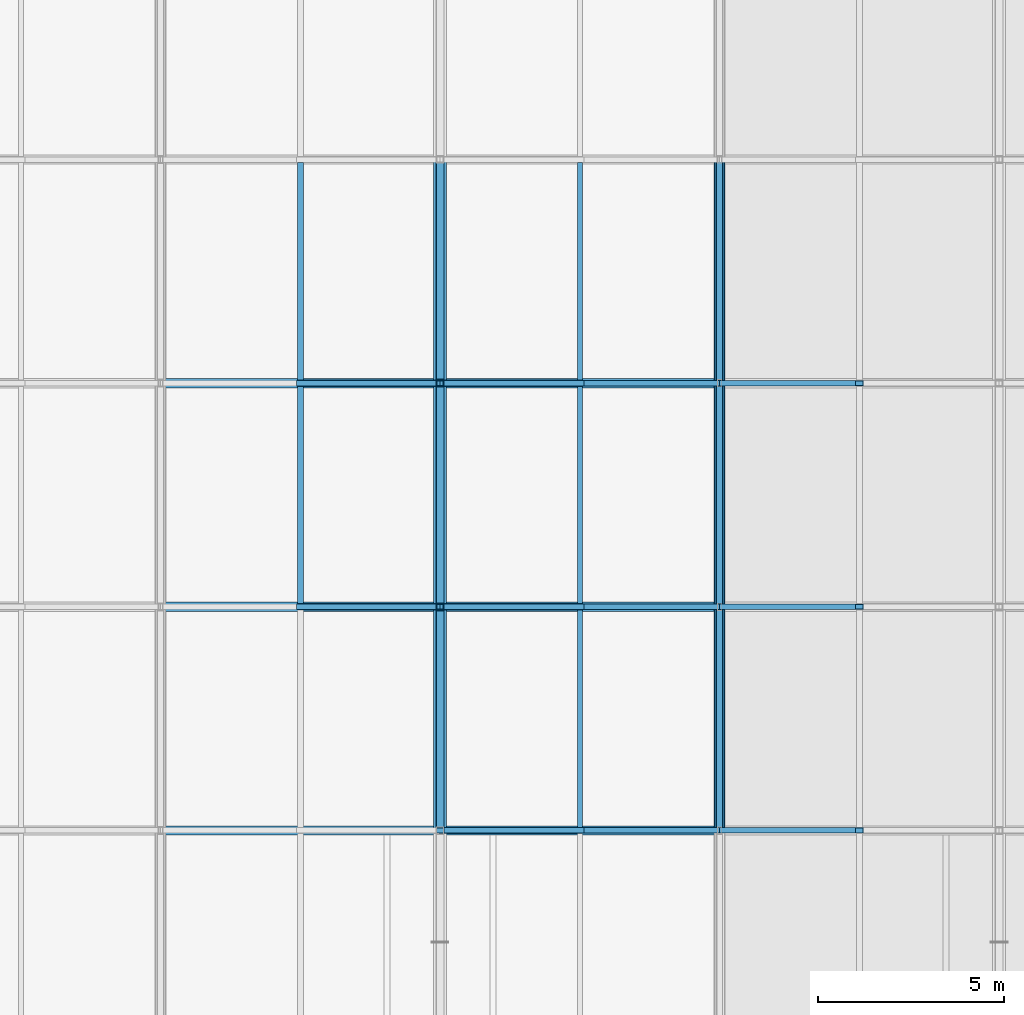
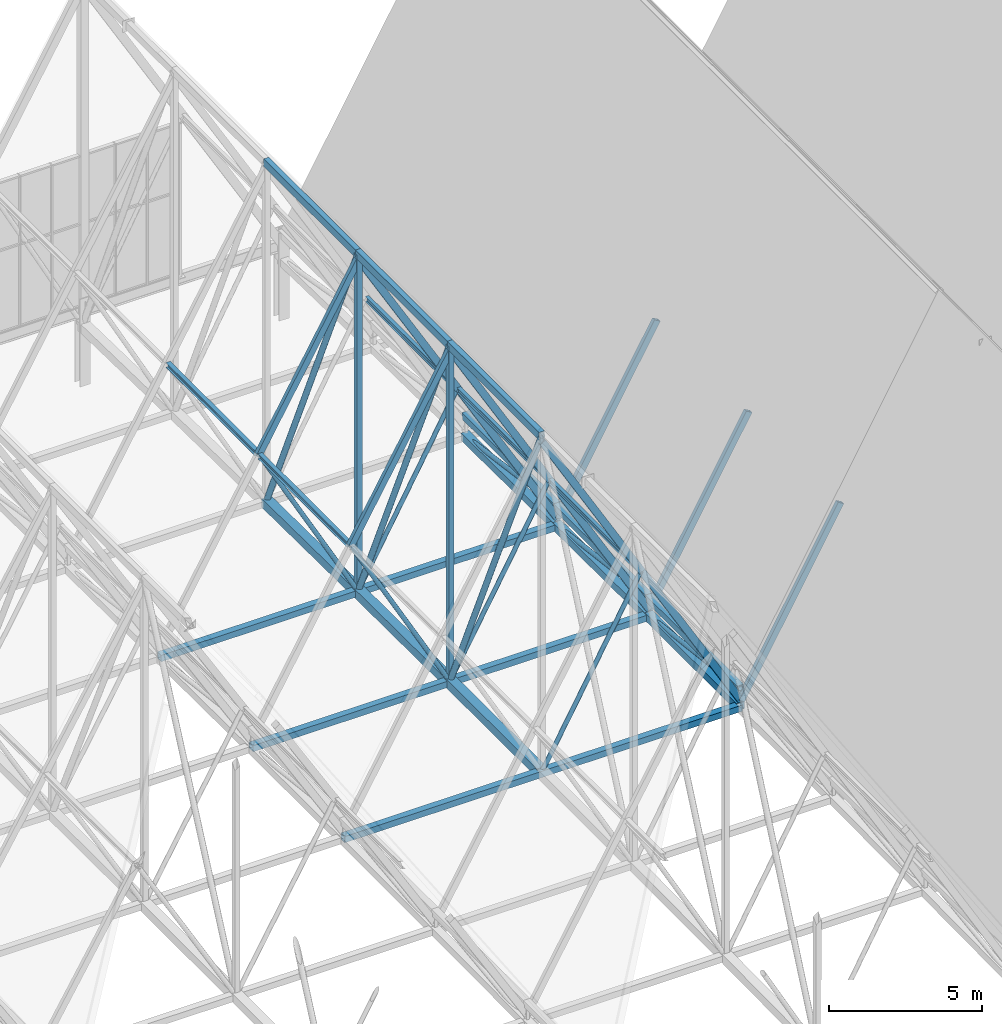
# One storey, part 113 of 324: 39 members, 5 beams.
"""IFC4 building model written with IfcOpenShell, lengths in metres."""

from ifc_helpers import new_model, si_unit, direction, frame, origin, origin_2d, place, context, subcontext, project, spatial, hollow_rectangle, hollow_circle, i_section, extrude, material, material_profile, profile_set, type_object, element, save


model = new_model("IFC4")

# Units and contexts
model_context = context("Model", 3, precision=1e-05, world=origin(), true_north=direction((0.0, 1.0)))
body_context = subcontext(model_context, "Body", "Model", "MODEL_VIEW")
ifc_project = project(units=[si_unit("LENGTHUNIT", "METRE"), si_unit("AREAUNIT", "SQUARE_METRE"), si_unit("VOLUMEUNIT", "CUBIC_METRE"), si_unit("PLANEANGLEUNIT", "RADIAN"), si_unit("MASSUNIT", "GRAM", prefix="KILO")], contexts=[model_context])

# Site, building, storey
site_placement = place(None, origin())
site = spatial("IfcSite", under=ifc_project, at=site_placement, CompositionType="ELEMENT")
building_placement = place(site_placement, origin())
building = spatial("IfcBuilding", under=site, at=building_placement, Name="Solvenia Promenade Tram Depot", CompositionType="ELEMENT")
storey_placement = place(building_placement, frame((0.0, 0.0, 4.5)))
storey = spatial("IfcBuildingStorey", under=building, at=storey_placement, Name="L01", CompositionType="ELEMENT", Elevation=4.5)

# Members
ifc_material_1 = material(Name="Structural steel ASTM A500 Gr. C", Category="steel")
ifc_material_profile_1 = material_profile(ifc_material_1, hollow_circle(Radius=0.109619140625, WallThickness=0.008056640625, at=origin_2d()), Name="CHS219.1x8", Category="steel")
ifc_profile_set_1 = profile_set([ifc_material_profile_1], Name="Structural steel ASTM A500 Gr. C")
member_type_1 = type_object("IfcMemberType", Name="Brace-CHS219x8", PredefinedType="BRACE", material=ifc_profile_set_1)
member_1_placement = place(storey_placement, frame((52.5, 102.0, 2.656005859375), z_axis=(0.0, -0.40785617385, 0.913046188017), x_axis=(1.0, 0.0, 0.0)))
element("IfcMember", 1, at=member_1_placement, inside=storey, type_object=member_type_1, Name="Arched Truss T08 Web Diagonal S06", PredefinedType="BRACE", context=body_context, shape_type="SweptSolid", body=[
    extrude(hollow_circle(Radius=0.109619140625, WallThickness=0.008056640625, at=origin_2d()), origin(), (0.0, 0.0, 1.0), 14.711181640625),
])
member_2_placement = place(storey_placement, frame((52.5, 108.0, 2.614013671875), z_axis=(0.0, -0.406795685275, 0.913519168076), x_axis=(1.0, 0.0, 0.0)))
element("IfcMember", 2, at=member_2_placement, inside=storey, type_object=member_type_1, Name="Arched Truss T08 Web Diagonal S07", PredefinedType="BRACE", context=body_context, shape_type="SweptSolid", body=[
    extrude(hollow_circle(Radius=0.109619140625, WallThickness=0.008056640625, at=origin_2d()), origin(), (0.0, 0.0, 1.0), 14.74951171875),
])
member_3_placement = place(storey_placement, frame((52.5, 114.0, 2.5439453125), z_axis=(0.0, -0.40503717219, 0.914300218279), x_axis=(1.0, 0.0, 0.0)))
element("IfcMember", 3, at=member_3_placement, inside=storey, type_object=member_type_1, Name="Arched Truss T08 Web Diagonal S08", PredefinedType="BRACE", context=body_context, shape_type="SweptSolid", body=[
    extrude(hollow_circle(Radius=0.109619140625, WallThickness=0.008056640625, at=origin_2d()), origin(), (0.0, 0.0, 1.0), 14.8134765625),
])
ifc_material_profile_2 = material_profile(ifc_material_1, hollow_rectangle(XDim=0.14990234375, YDim=0.25, WallThickness=0.010009765625, at=origin_2d()), Name="HSS250x150x10", Category="steel")
ifc_profile_set_2 = profile_set([ifc_material_profile_2], Name="Structural steel ASTM A500 Gr. C")
member_type_2 = type_object("IfcMemberType", Name="Chord-HSS250x150x10", PredefinedType="CHORD", material=ifc_profile_set_2)
for number, where, z_axis, x_axis, name in (
    (4, (52.5, 96.0, 15.859130859375), (0.501516268578, 0.0, -0.865148214095), (0.0, 1.0, 0.0), "Zigzag Gable 04 East Upper Rafter"),
    (5, (56.25, 96.0, 9.39013671875), (0.501516268578, 0.0, -0.865148214095), (0.0, 1.0, 0.0), "Zigzag Gable 04 East Lower Rafter"),
    (6, (48.75, 102.0, 9.39013671875), (0.501516268578, 0.0, 0.865148214095), (0.0, 1.0, 0.0), "Zigzag Gable 04 West Upper Rafter"),
    (7, (52.5, 102.0, 15.859130859375), (0.501516268578, 0.0, -0.865148214095), (0.0, 1.0, 0.0), "Zigzag Gable 04 East Upper Rafter"),
    (8, (56.25, 102.0, 9.39013671875), (0.501516268578, 0.0, -0.865148214095), (0.0, 1.0, 0.0), "Zigzag Gable 04 East Lower Rafter"),
    (9, (48.75, 108.0, 9.39013671875), (0.501516268578, 0.0, 0.865148214095), (0.0, 1.0, 0.0), "Zigzag Gable 04 West Upper Rafter"),
    (10, (52.5, 108.0, 15.859130859375), (0.501516268578, 0.0, -0.865148214095), (0.0, 1.0, 0.0), "Zigzag Gable 04 East Upper Rafter"),
    (11, (56.25, 108.0, 9.39013671875), (0.501516268578, 0.0, -0.865148214095), (0.0, 1.0, 0.0), "Zigzag Gable 04 East Lower Rafter"),
):
    element("IfcMember", number, at=place(storey_placement, frame(where, z_axis=z_axis, x_axis=x_axis)), inside=storey, type_object=member_type_2, Name=name, PredefinedType="CHORD", context=body_context, shape_type="SweptSolid", body=[
        extrude(hollow_rectangle(XDim=0.14990234375, YDim=0.25, WallThickness=0.010009765625, at=origin_2d()), origin(), (0.0, 0.0, 1.0), 7.477294921875),
    ])
for number, where, z_axis, x_axis, name in (
    (12, (60.0, 96.0, 2.916259765625), (0.494861595532, 0.0, 0.868971806946), (0.0, 1.0, 0.0), "Zigzag Gable 05 West Lower Rafter"),
    (13, (60.0, 102.0, 2.916259765625), (0.494861595532, 0.0, 0.868971806946), (0.0, 1.0, 0.0), "Zigzag Gable 05 West Lower Rafter"),
    (14, (60.0, 108.0, 2.916259765625), (0.494861595532, 0.0, 0.868971806946), (0.0, 1.0, 0.0), "Zigzag Gable 05 West Lower Rafter"),
):
    element("IfcMember", number, at=place(storey_placement, frame(where, z_axis=z_axis, x_axis=x_axis)), inside=storey, type_object=member_type_2, Name=name, PredefinedType="CHORD", context=body_context, shape_type="SweptSolid", body=[
        extrude(hollow_rectangle(XDim=0.14990234375, YDim=0.25, WallThickness=0.010009765625, at=origin_2d()), origin(), (0.0, 0.0, 1.0), 7.577880859375),
    ])
ifc_material_profile_3 = material_profile(ifc_material_1, hollow_rectangle(XDim=0.25, YDim=0.25, WallThickness=0.010009765625, at=origin_2d()), Name="HSS250x250x10", Category="steel")
ifc_profile_set_3 = profile_set([ifc_material_profile_3], Name="Structural steel ASTM A500 Gr. C")
member_type_3 = type_object("IfcMemberType", Name="Chord-HSS250x250x10", PredefinedType="CHORD", material=ifc_profile_set_3)
for number, where, z_axis, x_axis, name in (
    (15, (60.0, 96.0, 3.3798828125), (0.0, 1.0, 0.0), (-1.0, 0.0, 0.0), "Arched Truss T09 Upper Chord S06"),
    (16, (60.0, 102.0, 3.3798828125), (0.0, 1.0, 0.0), (-1.0, 0.0, 0.0), "Arched Truss T09 Upper Chord S07"),
    (17, (60.0, 108.0, 3.3798828125), (0.0, 1.0, 0.0), (-1.0, 0.0, 0.0), "Arched Truss T09 Upper Chord S08"),
):
    element("IfcMember", number, at=place(storey_placement, frame(where, z_axis=z_axis, x_axis=x_axis)), inside=storey, type_object=member_type_3, Name=name, PredefinedType="CHORD", context=body_context, shape_type="SweptSolid", body=[
        extrude(hollow_rectangle(XDim=0.25, YDim=0.25, WallThickness=0.010009765625, at=origin_2d()), origin(), (0.0, 0.0, 1.0), 6.0),
    ])
for number, where, z_axis, x_axis, name in (
    (18, (45.0, 96.0, 2.669921875), (1.0, 0.0, 0.0), (0.0, 1.0, 0.0), "Bottom-Chord Catenary Lateral Tie 032"),
    (19, (45.0, 102.0, 2.656005859375), (1.0, 0.0, 0.0), (0.0, 1.0, 0.0), "Bottom-Chord Catenary Lateral Tie 033"),
    (20, (45.0, 108.0, 2.614013671875), (1.0, 0.0, 0.0), (0.0, 1.0, 0.0), "Bottom-Chord Catenary Lateral Tie 034"),
):
    element("IfcMember", number, at=place(storey_placement, frame(where, z_axis=z_axis, x_axis=x_axis)), inside=storey, type_object=member_type_3, Name=name, PredefinedType="CHORD", context=body_context, shape_type="SweptSolid", body=[
        extrude(hollow_rectangle(XDim=0.25, YDim=0.25, WallThickness=0.010009765625, at=origin_2d()), origin(), (0.0, 0.0, 1.0), 15.0),
    ])
ifc_material_profile_4 = material_profile(ifc_material_1, hollow_rectangle(XDim=0.199951171875, YDim=0.300048828125, WallThickness=0.012451171875, at=origin_2d()), Name="HSS300x200x12.5", Category="steel")
ifc_profile_set_4 = profile_set([ifc_material_profile_4], Name="Structural steel ASTM A500 Gr. C")
member_type_4 = type_object("IfcMemberType", Name="Chord-HSS300x200x12", PredefinedType="CHORD", material=ifc_profile_set_4)
for number, where, z_axis, x_axis, name in (
    (21, (52.5, 96.0, 16.087890625), (0.0, 1.0, 0.0), (-1.0, 0.0, 0.0), "Arched Truss T08 Upper Chord S06"),
    (22, (52.5, 102.0, 16.087890625), (0.0, 1.0, 0.0), (-1.0, 0.0, 0.0), "Arched Truss T08 Upper Chord S07"),
    (23, (52.5, 108.0, 16.087890625), (0.0, 1.0, 0.0), (-1.0, 0.0, 0.0), "Arched Truss T08 Upper Chord S08"),
):
    element("IfcMember", number, at=place(storey_placement, frame(where, z_axis=z_axis, x_axis=x_axis)), inside=storey, type_object=member_type_4, Name=name, PredefinedType="CHORD", context=body_context, shape_type="SweptSolid", body=[
        extrude(hollow_rectangle(XDim=0.199951171875, YDim=0.300048828125, WallThickness=0.012451171875, at=origin_2d()), origin(), (0.0, 0.0, 1.0), 6.0),
    ])
ifc_material_profile_5 = material_profile(ifc_material_1, hollow_rectangle(XDim=0.300048828125, YDim=0.300048828125, WallThickness=0.012451171875, at=origin_2d()), Name="HSS300x300x12.5", Category="steel")
ifc_profile_set_5 = profile_set([ifc_material_profile_5], Name="Structural steel ASTM A500 Gr. C")
member_type_5 = type_object("IfcMemberType", Name="Chord-HSS300x300x12", PredefinedType="CHORD", material=ifc_profile_set_5)
member_4_placement = place(storey_placement, frame((60.0, 96.0, 2.669921875), z_axis=(0.0, 0.999997310351, -0.002319329699), x_axis=(-1.0, 0.0, 0.0)))
element("IfcMember", 24, at=member_4_placement, inside=storey, type_object=member_type_5, Name="Arched Truss T09 Bottom Chord S06", PredefinedType="CHORD", context=body_context, shape_type="SweptSolid", body=[
    extrude(hollow_rectangle(XDim=0.300048828125, YDim=0.300048828125, WallThickness=0.012451171875, at=origin_2d()), origin(), (0.0, 0.0, 1.0), 6.0),
])
member_5_placement = place(storey_placement, frame((60.0, 102.0, 2.656005859375), z_axis=(0.0, 0.999975510013, -0.006998526519), x_axis=(-1.0, 0.0, 0.0)))
element("IfcMember", 25, at=member_5_placement, inside=storey, type_object=member_type_5, Name="Arched Truss T09 Bottom Chord S07", PredefinedType="CHORD", context=body_context, shape_type="SweptSolid", body=[
    extrude(hollow_rectangle(XDim=0.300048828125, YDim=0.300048828125, WallThickness=0.012451171875, at=origin_2d()), origin(), (0.0, 0.0, 1.0), 6.000244140625),
])
member_6_placement = place(storey_placement, frame((60.0, 108.0, 2.614013671875), z_axis=(0.0, 0.999931818432, -0.011677263667), x_axis=(-1.0, 0.0, 0.0)))
element("IfcMember", 26, at=member_6_placement, inside=storey, type_object=member_type_5, Name="Arched Truss T09 Bottom Chord S08", PredefinedType="CHORD", context=body_context, shape_type="SweptSolid", body=[
    extrude(hollow_rectangle(XDim=0.300048828125, YDim=0.300048828125, WallThickness=0.012451171875, at=origin_2d()), origin(), (0.0, 0.0, 1.0), 6.00048828125),
])
ifc_material_profile_6 = material_profile(ifc_material_1, hollow_rectangle(XDim=0.35009765625, YDim=0.35009765625, WallThickness=0.01611328125, at=origin_2d()), Name="HSS350x350x16", Category="steel")
ifc_profile_set_6 = profile_set([ifc_material_profile_6], Name="Structural steel ASTM A500 Gr. C")
member_type_6 = type_object("IfcMemberType", Name="Chord-HSS350x350x16", PredefinedType="CHORD", material=ifc_profile_set_6)
member_7_placement = place(storey_placement, frame((52.5, 96.0, 2.669921875), z_axis=(0.0, 0.999997310351, -0.002319329699), x_axis=(-1.0, 0.0, 0.0)))
element("IfcMember", 27, at=member_7_placement, inside=storey, type_object=member_type_6, Name="Arched Truss T08 Bottom Chord S06", PredefinedType="CHORD", context=body_context, shape_type="SweptSolid", body=[
    extrude(hollow_rectangle(XDim=0.35009765625, YDim=0.35009765625, WallThickness=0.01611328125, at=origin_2d()), origin(), (0.0, 0.0, 1.0), 6.0),
])
member_8_placement = place(storey_placement, frame((52.5, 102.0, 2.656005859375), z_axis=(0.0, 0.999975510013, -0.006998526519), x_axis=(-1.0, 0.0, 0.0)))
element("IfcMember", 28, at=member_8_placement, inside=storey, type_object=member_type_6, Name="Arched Truss T08 Bottom Chord S07", PredefinedType="CHORD", context=body_context, shape_type="SweptSolid", body=[
    extrude(hollow_rectangle(XDim=0.35009765625, YDim=0.35009765625, WallThickness=0.01611328125, at=origin_2d()), origin(), (0.0, 0.0, 1.0), 6.000244140625),
])
member_9_placement = place(storey_placement, frame((52.5, 108.0, 2.614013671875), z_axis=(0.0, 0.999931818432, -0.011677263667), x_axis=(-1.0, 0.0, 0.0)))
element("IfcMember", 29, at=member_9_placement, inside=storey, type_object=member_type_6, Name="Arched Truss T08 Bottom Chord S08", PredefinedType="CHORD", context=body_context, shape_type="SweptSolid", body=[
    extrude(hollow_rectangle(XDim=0.35009765625, YDim=0.35009765625, WallThickness=0.01611328125, at=origin_2d()), origin(), (0.0, 0.0, 1.0), 6.00048828125),
])
ifc_material_profile_7 = material_profile(ifc_material_1, hollow_rectangle(XDim=0.199951171875, YDim=0.199951171875, WallThickness=0.010009765625, at=origin_2d()), Name="HSS200x200x10", Category="steel")
ifc_profile_set_7 = profile_set([ifc_material_profile_7], Name="Structural steel ASTM A500 Gr. C")
member_type_7 = type_object("IfcMemberType", Name="Post-HSS200x200x10", PredefinedType="POST", material=ifc_profile_set_7)
member_10_placement = place(storey_placement, frame((52.5, 102.0, 2.656005859375), z_axis=(0.0, 0.0, 1.0), x_axis=(1.0, 0.0, 0.0)))
element("IfcMember", 30, at=member_10_placement, inside=storey, type_object=member_type_7, Name="Arched Truss T08 Web Post S06", PredefinedType="POST", context=body_context, shape_type="SweptSolid", body=[
    extrude(hollow_rectangle(XDim=0.199951171875, YDim=0.199951171875, WallThickness=0.010009765625, at=origin_2d()), origin(), (0.0, 0.0, 1.0), 13.431884765625),
])
member_11_placement = place(storey_placement, frame((52.5, 108.0, 2.614013671875), z_axis=(0.0, 0.0, 1.0), x_axis=(1.0, 0.0, 0.0)))
element("IfcMember", 31, at=member_11_placement, inside=storey, type_object=member_type_7, Name="Arched Truss T08 Web Post S07", PredefinedType="POST", context=body_context, shape_type="SweptSolid", body=[
    extrude(hollow_rectangle(XDim=0.199951171875, YDim=0.199951171875, WallThickness=0.010009765625, at=origin_2d()), origin(), (0.0, 0.0, 1.0), 13.473876953125),
])

# Beams
ifc_material_2 = material(Name="Structural steel ASTM A992 Gr. 50", Category="steel")
ifc_material_profile_8 = material_profile(ifc_material_2, i_section(OverallWidth=0.133056640625, OverallDepth=0.20703125, WebThickness=0.005859375, FlangeThickness=0.00830078125, FilletRadius=0.009033203125, at=origin_2d()), Name="W200x27", Category="steel")
ifc_profile_set_8 = profile_set([ifc_material_profile_8], Name="Structural steel ASTM A992 Gr. 50")
beam_type_1 = type_object("IfcBeamType", Name="Purlin-W200x27", PredefinedType="USERDEFINED", material=ifc_profile_set_8)
for number, where, z_axis, x_axis, name in (
    (32, (56.25, 96.0849609375, 9.375732421875), (0.0, 1.0, 0.0), (-1.0, 0.0, 0.0), "Gable Roof Purlin E-0072"),
    (33, (56.25, 102.0849609375, 9.375732421875), (0.0, 1.0, 0.0), (-1.0, 0.0, 0.0), "Gable Roof Purlin E-0074"),
    (34, (56.25, 108.0849609375, 9.375732421875), (0.0, 1.0, 0.0), (-1.0, 0.0, 0.0), "Gable Roof Purlin E-0076"),
):
    element("IfcBeam", number, at=place(storey_placement, frame(where, z_axis=z_axis, x_axis=x_axis)), inside=storey, type_object=beam_type_1, Name=name, ObjectType="PURLIN", PredefinedType="USERDEFINED", context=body_context, shape_type="SweptSolid", body=[
        extrude(i_section(OverallWidth=0.133056640625, OverallDepth=0.20703125, WebThickness=0.005859375, FlangeThickness=0.00830078125, FilletRadius=0.009033203125, at=origin_2d()), origin(), (0.0, 0.0, 1.0), 5.830078125),
    ])
ifc_material_profile_9 = material_profile(ifc_material_2, i_section(OverallWidth=0.1650390625, OverallDepth=0.200927734375, WebThickness=0.006103515625, FlangeThickness=0.01025390625, FilletRadius=0.010009765625, at=origin_2d()), Name="W200x36", Category="steel")
ifc_profile_set_9 = profile_set([ifc_material_profile_9], Name="Structural steel ASTM A992 Gr. 50")
beam_type_2 = type_object("IfcBeamType", Name="Purlin-W200x36", PredefinedType="USERDEFINED", material=ifc_profile_set_9)
for number, where, z_axis, x_axis, name in (
    (35, (48.75, 102.0849609375, 9.375732421875), (0.0, 1.0, 0.0), (-1.0, 0.0, 0.0), "Gable Roof Purlin W-0073"),
    (36, (48.75, 108.0849609375, 9.375732421875), (0.0, 1.0, 0.0), (-1.0, 0.0, 0.0), "Gable Roof Purlin W-0075"),
):
    element("IfcBeam", number, at=place(storey_placement, frame(where, z_axis=z_axis, x_axis=x_axis)), inside=storey, type_object=beam_type_2, Name=name, ObjectType="PURLIN", PredefinedType="USERDEFINED", context=body_context, shape_type="SweptSolid", body=[
        extrude(i_section(OverallWidth=0.1650390625, OverallDepth=0.200927734375, WebThickness=0.006103515625, FlangeThickness=0.01025390625, FilletRadius=0.010009765625, at=origin_2d()), origin(), (0.0, 0.0, 1.0), 5.830078125),
    ])

# Members
ifc_material_profile_10 = material_profile(ifc_material_1, hollow_circle(Radius=0.084228515625, WallThickness=0.008056640625, at=origin_2d()), Name="CHS168.3x8", Category="steel")
ifc_profile_set_10 = profile_set([ifc_material_profile_10], Name="Structural steel ASTM A500 Gr. C")
member_type_8 = type_object("IfcMemberType", Name="WebDiag-CHS168x8", PredefinedType="BRACE", material=ifc_profile_set_10)
member_12_placement = place(storey_placement, frame((60.0, 102.0, 2.656005859375), z_axis=(0.0, -0.992800749036, 0.119777596879), x_axis=(1.0, 0.0, 0.0)))
element("IfcMember", 37, at=member_12_placement, inside=storey, type_object=member_type_8, Name="Arched Truss T09 Web Diagonal S06", PredefinedType="BRACE", context=body_context, shape_type="SweptSolid", body=[
    extrude(hollow_circle(Radius=0.084228515625, WallThickness=0.008056640625, at=origin_2d()), origin(), (0.0, 0.0, 1.0), 6.04345703125),
])
member_13_placement = place(storey_placement, frame((60.0, 108.0, 2.614013671875), z_axis=(0.0, -0.991951613347, 0.126617521609), x_axis=(1.0, 0.0, 0.0)))
element("IfcMember", 38, at=member_13_placement, inside=storey, type_object=member_type_8, Name="Arched Truss T09 Web Diagonal S07", PredefinedType="BRACE", context=body_context, shape_type="SweptSolid", body=[
    extrude(hollow_circle(Radius=0.084228515625, WallThickness=0.008056640625, at=origin_2d()), origin(), (0.0, 0.0, 1.0), 6.048583984375),
])
member_14_placement = place(storey_placement, frame((60.0, 114.0, 2.5439453125), z_axis=(0.0, -0.990433608353, 0.13799009908), x_axis=(1.0, 0.0, 0.0)))
element("IfcMember", 39, at=member_14_placement, inside=storey, type_object=member_type_8, Name="Arched Truss T09 Web Diagonal S08", PredefinedType="BRACE", context=body_context, shape_type="SweptSolid", body=[
    extrude(hollow_circle(Radius=0.084228515625, WallThickness=0.008056640625, at=origin_2d()), origin(), (0.0, 0.0, 1.0), 6.057861328125),
])
member_15_placement = place(storey_placement, frame((52.5, 96.0, 2.669921875), z_axis=(0.48728515229, 0.0, 0.873242910282), x_axis=(0.0, 1.0, 0.0)))
element("IfcMember", 40, at=member_15_placement, inside=storey, type_object=member_type_8, Name="Zigzag Gable 04 East Knee Strut", PredefinedType="BRACE", context=body_context, shape_type="SweptSolid", body=[
    extrude(hollow_circle(Radius=0.084228515625, WallThickness=0.008056640625, at=origin_2d()), origin(), (0.0, 0.0, 1.0), 7.69580078125),
])
for number, where, z_axis, x_axis, name in (
    (41, (52.5, 102.0, 2.656005859375), (-0.486516718868, 0.0, 0.873671266702), (0.0, -1.0, 0.0), "Zigzag Gable 04 West Knee Strut"),
    (42, (52.5, 102.0, 2.656005859375), (0.486516718868, 0.0, 0.873671266702), (0.0, 1.0, 0.0), "Zigzag Gable 04 East Knee Strut"),
):
    element("IfcMember", number, at=place(storey_placement, frame(where, z_axis=z_axis, x_axis=x_axis)), inside=storey, type_object=member_type_8, Name=name, PredefinedType="BRACE", context=body_context, shape_type="SweptSolid", body=[
        extrude(hollow_circle(Radius=0.084228515625, WallThickness=0.008056640625, at=origin_2d()), origin(), (0.0, 0.0, 1.0), 7.707763671875),
    ])
for number, where, z_axis, x_axis, name in (
    (43, (52.5, 108.0, 2.614013671875), (-0.484210311814, 0.0, 0.874951640911), (0.0, -1.0, 0.0), "Zigzag Gable 04 West Knee Strut"),
    (44, (52.5, 108.0, 2.614013671875), (0.484210311814, 0.0, 0.874951640911), (0.0, 1.0, 0.0), "Zigzag Gable 04 East Knee Strut"),
):
    element("IfcMember", number, at=place(storey_placement, frame(where, z_axis=z_axis, x_axis=x_axis)), inside=storey, type_object=member_type_8, Name=name, PredefinedType="BRACE", context=body_context, shape_type="SweptSolid", body=[
        extrude(hollow_circle(Radius=0.084228515625, WallThickness=0.008056640625, at=origin_2d()), origin(), (0.0, 0.0, 1.0), 7.74462890625),
    ])

save(model, "model.ifc")
